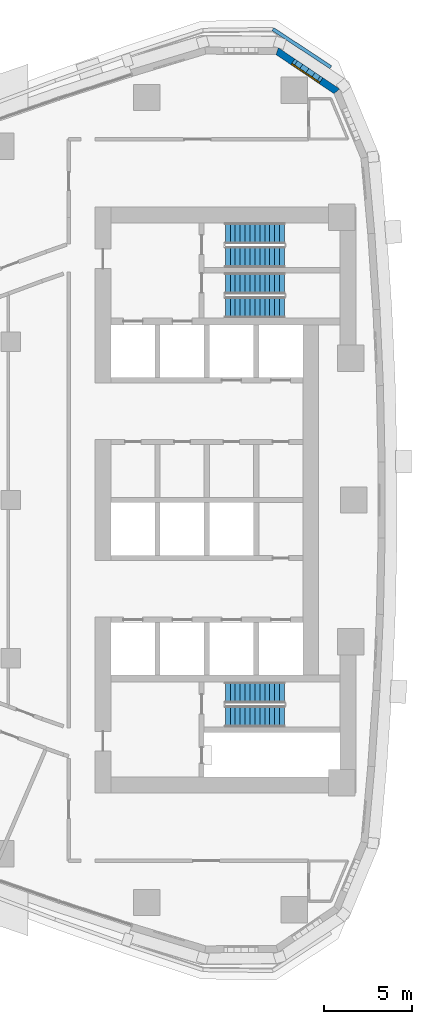
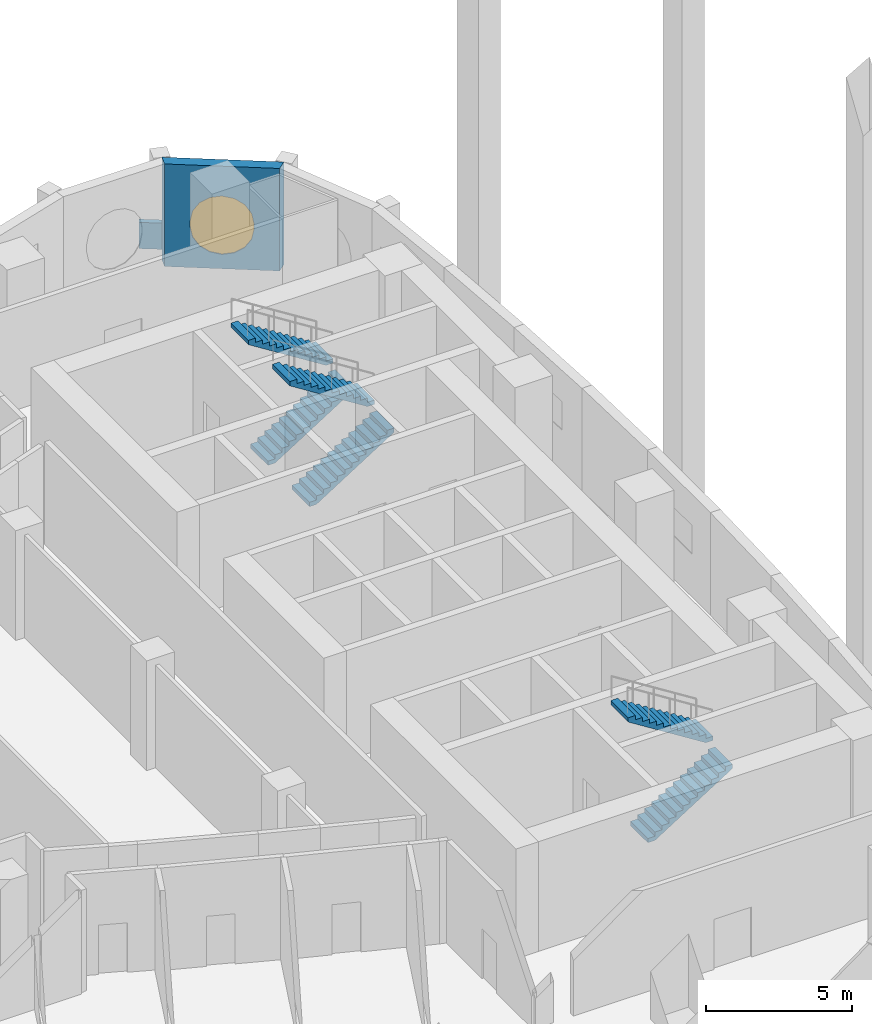
# One storey, part 12 of 17: 6 stair flights, 2 walls, 1 window, 1 opening, 3 elements without a shape of their own.
"""IFC4 building model written with IfcOpenShell, lengths in metres."""

from ifc_helpers import new_model, si_unit, direction, frame, frame_2d, origin, place, context, subcontext, project, spatial, polyline, rectangle, outline, extrude, material, layer, layer_set, type_object, element, fill, aggregate, save


model = new_model("IFC4")

# Units and contexts
model_context = context("Model", 3, precision=1e-05, world=origin(), true_north=direction((0.0, 1.0)))
body_context = subcontext(model_context, "Body", "Model", "MODEL_VIEW")
ifc_project = project(units=[si_unit("LENGTHUNIT", "METRE"), si_unit("AREAUNIT", "SQUARE_METRE"), si_unit("VOLUMEUNIT", "CUBIC_METRE"), si_unit("PLANEANGLEUNIT", "RADIAN"), si_unit("MASSUNIT", "GRAM", prefix="KILO")], contexts=[model_context])

# Site, building, storey
site_placement = place(None, origin())
site = spatial("IfcSite", under=ifc_project, at=site_placement, CompositionType="ELEMENT")
building_placement = place(site_placement, origin())
building = spatial("IfcBuilding", under=site, at=building_placement, Name="Ostrand Prow Hotel Tower", CompositionType="ELEMENT")
storey_placement = place(building_placement, frame((0.0, 0.0, 125.60009765625)))
storey = spatial("IfcBuildingStorey", under=building, at=storey_placement, Name="L30", CompositionType="ELEMENT", Elevation=125.60009765625)

# Wall
ifc_material_1 = material(Name="Precast concrete C40/50", Category="concrete")
ifc_layer_1 = layer(ifc_material_1, 0.199951171875)
ifc_layer_set_1 = layer_set([ifc_layer_1], Name="Precast concrete C40/50")
wall_type_1 = type_object("IfcWallType", Name="Roof parapet 200 mm precast concrete", PredefinedType="PARAPET", material=ifc_layer_set_1)
wall_1_placement = place(storey_placement, frame((63.19140625, 24.5859375, 0.0), z_axis=(0.0, 0.0, 1.0), x_axis=(-0.835346627005, 0.549723578493, 0.0)))
element("IfcWall", 1, at=wall_1_placement, inside=storey, type_object=wall_type_1, Name="Roof parapet LPR0 2.15", PredefinedType="PARAPET", context=body_context, shape_type="SweptSolid", body=[
    extrude(rectangle(XDim=3.936279296875, YDim=0.199951171875, at=frame_2d((1.96826171875, 0.0))), origin(), (0.0, 0.0, 1.0), 1.099853515625),
])

# Wall, opening, window
ifc_material_2 = material(Name="Precast concrete C40/50", Category="concrete")
ifc_layer_2 = layer(ifc_material_2, 0.39990234375)
ifc_layer_set_2 = layer_set([ifc_layer_2], Name="Precast concrete C40/50")
wall_type_2 = type_object("IfcWallType", Name="Stone-faced precast wall 400 mm", PredefinedType="NOTDEFINED", material=ifc_layer_set_2)
wall_2_placement = place(storey_placement, frame((63.5302734375, 23.218505859375, 0.0), z_axis=(0.0, 0.0, 1.0), x_axis=(-0.829642062482, 0.558295663749, 0.0)))
wall_2 = element("IfcWall", 2, at=wall_2_placement, inside=storey, type_object=wall_type_2, Name="Stone-faced wall back 15", PredefinedType="NOTDEFINED", context=body_context, shape_type="SweptSolid", body=[
    extrude(outline(polyline([(-0.060302734375, -0.199951171875), (4.144287109375, -0.199951171875), (4.023681640625, 0.199951171875), (0.060302734375, 0.199951171875), (-0.060302734375, -0.199951171875)])), origin(), (0.0, 0.0, 1.0), 4.2998046875),
])
opening_placement = place(wall_2_placement, frame((0.94189453125, 0.0, 0.60009765625)))
opening = element("IfcOpeningElement", 3, at=opening_placement, cuts=wall_2, Name="Opening WP2", PredefinedType="OPENING", context=body_context, shape_type="SweptSolid", body=[
    extrude(outline(polyline([(0.0, 1.35009765625), (0.083740234375, 1.77099609375), (0.322265625, 2.127685546875), (0.678955078125, 2.3662109375), (1.10009765625, 2.449951171875), (1.52099609375, 2.3662109375), (1.877685546875, 2.127685546875), (2.1162109375, 1.77099609375), (2.199951171875, 1.35009765625), (2.199951171875, 1.10009765625), (2.1162109375, 0.678955078125), (1.877685546875, 0.322265625), (1.52099609375, 0.083740234375), (1.10009765625, 0.0), (0.678955078125, 0.083740234375), (0.322265625, 0.322265625), (0.083740234375, 0.678955078125), (0.0, 1.099853515625), (0.0, 1.35009765625)])), frame((0.0, 0.2099609375, 0.0), z_axis=(0.0, -1.0, 0.0), x_axis=(1.0, 0.0, 0.0)), (0.0, 0.0, 1.0), 0.419921875),
])
ifc_material_3 = material(Name="Insulated glass in bronze frame", Category="glass")
window_type = type_object("IfcWindowType", Name="Round-ended prow lounge window 2200x2450", PartitioningType="SINGLE_PANEL", PredefinedType="WINDOW", material=ifc_material_3)
window_placement = place(opening_placement, origin())
window = element("IfcWindow", 4, at=window_placement, inside=storey, type_object=window_type, Name="Window back 15.1", OverallHeight=2.449951171875, OverallWidth=2.199951171875, PartitioningType="SINGLE_PANEL", PredefinedType="WINDOW", context=body_context, shape_type="SweptSolid", body=[
    extrude(outline(polyline([(0.0, 1.35009765625), (0.083740234375, 1.77099609375), (0.322265625, 2.127685546875), (0.678955078125, 2.3662109375), (1.10009765625, 2.449951171875), (1.52099609375, 2.3662109375), (1.877685546875, 2.127685546875), (2.1162109375, 1.77099609375), (2.199951171875, 1.35009765625), (2.199951171875, 1.10009765625), (2.1162109375, 0.678955078125), (1.877685546875, 0.322265625), (1.52099609375, 0.083740234375), (1.10009765625, 0.0), (0.678955078125, 0.083740234375), (0.322265625, 0.322265625), (0.083740234375, 0.678955078125), (0.0, 1.099853515625), (0.0, 1.35009765625)])), frame((0.0, 0.169921875, 0.0), z_axis=(0.0, -1.0, 0.0), x_axis=(1.0, 0.0, 0.0)), (0.0, 0.0, 1.0), 0.06005859375),
])
fill(opening, window)

# Stair, stair flights
ifc_material_4 = material(Name="Concrete C40/50", Category="concrete")
stair_type = type_object("IfcStairType", Name="Exit stair 1200 upper zone", PredefinedType="HALF_TURN_STAIR", material=ifc_material_4)
stair_1_placement = place(storey_placement, origin())
stair_1 = element("IfcStair", 5, at=stair_1_placement, inside=storey, type_object=stair_type, Name="L30 ST1C", PredefinedType="HALF_TURN_STAIR")
ifc_material_5 = material(Name="Concrete C40/50", Category="concrete")
stair_flight_type = type_object("IfcStairFlightType", Name="Stair flight 1200 concrete", PredefinedType="STRAIGHT", material=ifc_material_5)
stair_flight_1_placement = place(storey_placement, frame((57.199951171875, 10.949951171875, 0.0), z_axis=(0.0, 0.0, 1.0), x_axis=(1.0, 0.0, 0.0)))
stair_flight_1 = element("IfcStairFlight", 6, at=stair_flight_1_placement, type_object=stair_flight_type, Name="ST1C flight 1", NumberOfRisers=13, NumberOfTreads=12, PredefinedType="STRAIGHT", RiserHeight=0.176923077, TreadLength=0.28, context=body_context, shape_type="SweptSolid", body=[
    extrude(outline(polyline([(0.0, 0.0), (0.0, 0.177001953125), (0.280029296875, 0.177001953125), (0.280029296875, 0.353759765625), (0.56005859375, 0.353759765625), (0.56005859375, 0.53076171875), (0.840087890625, 0.53076171875), (0.840087890625, 0.707763671875), (1.1201171875, 0.707763671875), (1.1201171875, 0.884521484375), (1.39990234375, 0.884521484375), (1.39990234375, 1.0615234375), (1.679931640625, 1.0615234375), (1.679931640625, 1.238525390625), (1.9599609375, 1.238525390625), (1.9599609375, 1.415283203125), (2.239990234375, 1.415283203125), (2.239990234375, 1.59228515625), (2.52001953125, 1.59228515625), (2.52001953125, 1.769287109375), (2.800048828125, 1.769287109375), (2.800048828125, 1.946044921875), (3.080078125, 1.946044921875), (3.080078125, 2.123046875), (3.360107421875, 2.123046875), (3.360107421875, 2.300048828125), (3.360107421875, 1.94580078125), (0.280517578125, 0.0), (0.0, 0.0)])), frame((0.0, 0.60009765625, 0.0), z_axis=(0.0, -1.0, 0.0), x_axis=(1.0, 0.0, 0.0)), (0.0, 0.0, 1.0), 1.199951171875),
])
stair_flight_2_placement = place(storey_placement, frame((60.56005859375, 12.300048828125, 2.2998046875), z_axis=(0.0, 0.0, 1.0), x_axis=(-1.0, 0.0, 0.0)))
stair_flight_2 = element("IfcStairFlight", 7, at=stair_flight_2_placement, type_object=stair_flight_type, Name="ST1C flight 2", NumberOfRisers=13, NumberOfTreads=12, PredefinedType="STRAIGHT", RiserHeight=0.176923077, TreadLength=0.28, context=body_context, shape_type="SweptSolid", body=[
    extrude(outline(polyline([(0.0, 0.0), (0.0, 0.177001953125), (0.280029296875, 0.177001953125), (0.280029296875, 0.353759765625), (0.56005859375, 0.353759765625), (0.56005859375, 0.53076171875), (0.840087890625, 0.53076171875), (0.840087890625, 0.707763671875), (1.1201171875, 0.707763671875), (1.1201171875, 0.884521484375), (1.39990234375, 0.884521484375), (1.39990234375, 1.0615234375), (1.679931640625, 1.0615234375), (1.679931640625, 1.238525390625), (1.9599609375, 1.238525390625), (1.9599609375, 1.415283203125), (2.239990234375, 1.415283203125), (2.239990234375, 1.59228515625), (2.52001953125, 1.59228515625), (2.52001953125, 1.769287109375), (2.800048828125, 1.769287109375), (2.800048828125, 1.946044921875), (3.080078125, 1.946044921875), (3.080078125, 2.123046875), (3.360107421875, 2.123046875), (3.360107421875, 2.300048828125), (3.360107421875, 1.94580078125), (0.280517578125, 0.0), (0.0, 0.0)])), frame((0.0, 0.60009765625, 0.0), z_axis=(0.0, -1.0, 0.0), x_axis=(1.0, 0.0, 0.0)), (0.0, 0.0, 1.0), 1.199951171875),
])
aggregate(stair_1, [stair_flight_1, stair_flight_2])

stair_2_placement = place(storey_placement, origin())
stair_2 = element("IfcStair", 8, at=stair_2_placement, inside=storey, type_object=stair_type, Name="L30 ST3C", PredefinedType="HALF_TURN_STAIR")
stair_flight_3_placement = place(storey_placement, frame((57.199951171875, 13.800048828125, 0.0), z_axis=(0.0, 0.0, 1.0), x_axis=(1.0, 0.0, 0.0)))
stair_flight_3 = element("IfcStairFlight", 9, at=stair_flight_3_placement, type_object=stair_flight_type, Name="ST3C flight 1", NumberOfRisers=13, NumberOfTreads=12, PredefinedType="STRAIGHT", RiserHeight=0.176923077, TreadLength=0.28, context=body_context, shape_type="SweptSolid", body=[
    extrude(outline(polyline([(0.0, 0.0), (0.0, 0.177001953125), (0.280029296875, 0.177001953125), (0.280029296875, 0.353759765625), (0.56005859375, 0.353759765625), (0.56005859375, 0.53076171875), (0.840087890625, 0.53076171875), (0.840087890625, 0.707763671875), (1.1201171875, 0.707763671875), (1.1201171875, 0.884521484375), (1.39990234375, 0.884521484375), (1.39990234375, 1.0615234375), (1.679931640625, 1.0615234375), (1.679931640625, 1.238525390625), (1.9599609375, 1.238525390625), (1.9599609375, 1.415283203125), (2.239990234375, 1.415283203125), (2.239990234375, 1.59228515625), (2.52001953125, 1.59228515625), (2.52001953125, 1.769287109375), (2.800048828125, 1.769287109375), (2.800048828125, 1.946044921875), (3.080078125, 1.946044921875), (3.080078125, 2.123046875), (3.360107421875, 2.123046875), (3.360107421875, 2.300048828125), (3.360107421875, 1.94580078125), (0.280517578125, 0.0), (0.0, 0.0)])), frame((0.0, 0.60009765625, 0.0), z_axis=(0.0, -1.0, 0.0), x_axis=(1.0, 0.0, 0.0)), (0.0, 0.0, 1.0), 1.199951171875),
])
stair_flight_4_placement = place(storey_placement, frame((60.56005859375, 15.14990234375, 2.2998046875), z_axis=(0.0, 0.0, 1.0), x_axis=(-1.0, 0.0, 0.0)))
stair_flight_4 = element("IfcStairFlight", 10, at=stair_flight_4_placement, type_object=stair_flight_type, Name="ST3C flight 2", NumberOfRisers=13, NumberOfTreads=12, PredefinedType="STRAIGHT", RiserHeight=0.176923077, TreadLength=0.28, context=body_context, shape_type="SweptSolid", body=[
    extrude(outline(polyline([(0.0, 0.0), (0.0, 0.177001953125), (0.280029296875, 0.177001953125), (0.280029296875, 0.353759765625), (0.56005859375, 0.353759765625), (0.56005859375, 0.53076171875), (0.840087890625, 0.53076171875), (0.840087890625, 0.707763671875), (1.1201171875, 0.707763671875), (1.1201171875, 0.884521484375), (1.39990234375, 0.884521484375), (1.39990234375, 1.0615234375), (1.679931640625, 1.0615234375), (1.679931640625, 1.238525390625), (1.9599609375, 1.238525390625), (1.9599609375, 1.415283203125), (2.239990234375, 1.415283203125), (2.239990234375, 1.59228515625), (2.52001953125, 1.59228515625), (2.52001953125, 1.769287109375), (2.800048828125, 1.769287109375), (2.800048828125, 1.946044921875), (3.080078125, 1.946044921875), (3.080078125, 2.123046875), (3.360107421875, 2.123046875), (3.360107421875, 2.300048828125), (3.360107421875, 1.94580078125), (0.280517578125, 0.0), (0.0, 0.0)])), frame((0.0, 0.60009765625, 0.0), z_axis=(0.0, -1.0, 0.0), x_axis=(1.0, 0.0, 0.0)), (0.0, 0.0, 1.0), 1.199951171875),
])
aggregate(stair_2, [stair_flight_3, stair_flight_4])

stair_3_placement = place(storey_placement, origin())
stair_3 = element("IfcStair", 11, at=stair_3_placement, inside=storey, type_object=stair_type, Name="L30 ST2C", PredefinedType="HALF_TURN_STAIR")
stair_flight_5_placement = place(storey_placement, frame((57.199951171875, -12.300048828125, 0.0), z_axis=(0.0, 0.0, 1.0), x_axis=(1.0, 0.0, 0.0)))
stair_flight_5 = element("IfcStairFlight", 12, at=stair_flight_5_placement, type_object=stair_flight_type, Name="ST2C flight 1", NumberOfRisers=13, NumberOfTreads=12, PredefinedType="STRAIGHT", RiserHeight=0.176923077, TreadLength=0.28, context=body_context, shape_type="SweptSolid", body=[
    extrude(outline(polyline([(0.0, 0.0), (0.0, 0.177001953125), (0.280029296875, 0.177001953125), (0.280029296875, 0.353759765625), (0.56005859375, 0.353759765625), (0.56005859375, 0.53076171875), (0.840087890625, 0.53076171875), (0.840087890625, 0.707763671875), (1.1201171875, 0.707763671875), (1.1201171875, 0.884521484375), (1.39990234375, 0.884521484375), (1.39990234375, 1.0615234375), (1.679931640625, 1.0615234375), (1.679931640625, 1.238525390625), (1.9599609375, 1.238525390625), (1.9599609375, 1.415283203125), (2.239990234375, 1.415283203125), (2.239990234375, 1.59228515625), (2.52001953125, 1.59228515625), (2.52001953125, 1.769287109375), (2.800048828125, 1.769287109375), (2.800048828125, 1.946044921875), (3.080078125, 1.946044921875), (3.080078125, 2.123046875), (3.360107421875, 2.123046875), (3.360107421875, 2.300048828125), (3.360107421875, 1.94580078125), (0.280517578125, 0.0), (0.0, 0.0)])), frame((0.0, 0.60009765625, 0.0), z_axis=(0.0, -1.0, 0.0), x_axis=(1.0, 0.0, 0.0)), (0.0, 0.0, 1.0), 1.199951171875),
])
stair_flight_6_placement = place(storey_placement, frame((60.56005859375, -10.949951171875, 2.2998046875), z_axis=(0.0, 0.0, 1.0), x_axis=(-1.0, 0.0, 0.0)))
stair_flight_6 = element("IfcStairFlight", 13, at=stair_flight_6_placement, type_object=stair_flight_type, Name="ST2C flight 2", NumberOfRisers=13, NumberOfTreads=12, PredefinedType="STRAIGHT", RiserHeight=0.176923077, TreadLength=0.28, context=body_context, shape_type="SweptSolid", body=[
    extrude(outline(polyline([(0.0, 0.0), (0.0, 0.177001953125), (0.280029296875, 0.177001953125), (0.280029296875, 0.353759765625), (0.56005859375, 0.353759765625), (0.56005859375, 0.53076171875), (0.840087890625, 0.53076171875), (0.840087890625, 0.707763671875), (1.1201171875, 0.707763671875), (1.1201171875, 0.884521484375), (1.39990234375, 0.884521484375), (1.39990234375, 1.0615234375), (1.679931640625, 1.0615234375), (1.679931640625, 1.238525390625), (1.9599609375, 1.238525390625), (1.9599609375, 1.415283203125), (2.239990234375, 1.415283203125), (2.239990234375, 1.59228515625), (2.52001953125, 1.59228515625), (2.52001953125, 1.769287109375), (2.800048828125, 1.769287109375), (2.800048828125, 1.946044921875), (3.080078125, 1.946044921875), (3.080078125, 2.123046875), (3.360107421875, 2.123046875), (3.360107421875, 2.300048828125), (3.360107421875, 1.94580078125), (0.280517578125, 0.0), (0.0, 0.0)])), frame((0.0, 0.60009765625, 0.0), z_axis=(0.0, -1.0, 0.0), x_axis=(1.0, 0.0, 0.0)), (0.0, 0.0, 1.0), 1.199951171875),
])
aggregate(stair_3, [stair_flight_5, stair_flight_6])

save(model, "model.ifc")
